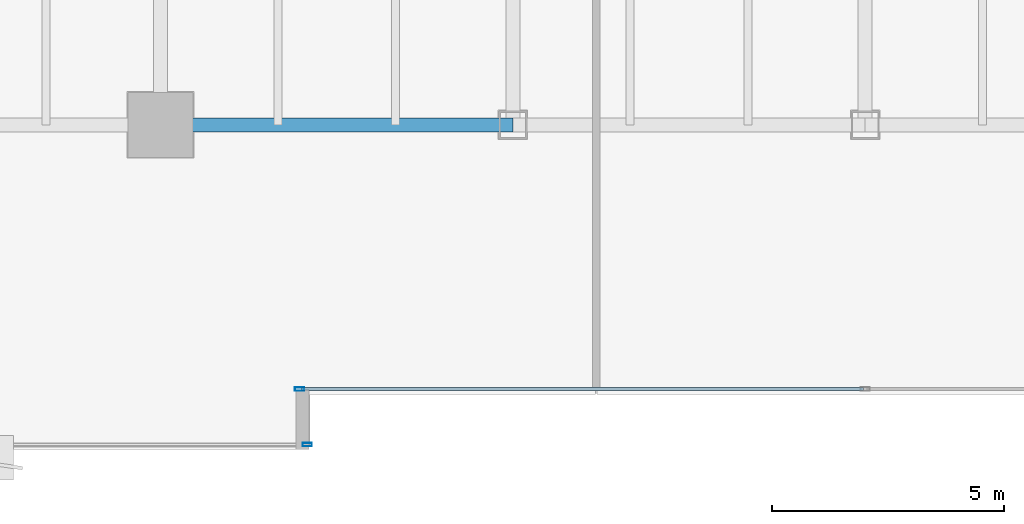
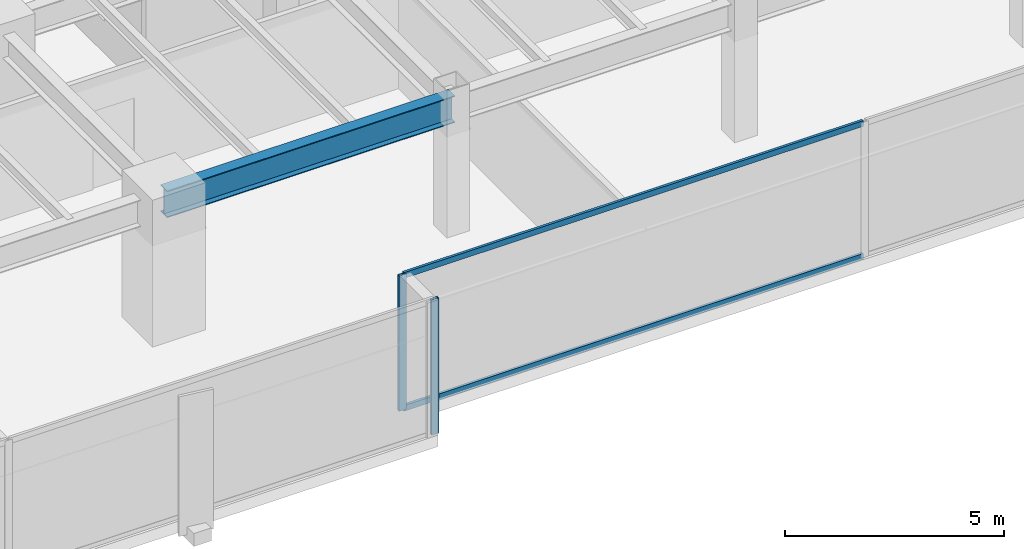
# One storey, part 4 of 37: 4 members, 1 beam, 2 elements without a shape of their own.
"""IFC4 building model written with IfcOpenShell, lengths in metres."""

from ifc_helpers import new_model, si_unit, direction, frame, origin, origin_2d, place, context, subcontext, project, spatial, hollow_rectangle, i_section, extrude, source, transform, mapped, material, layer, layer_set, material_profile, profile_set, type_object, type_shapes, element, aggregate, save


model = new_model("IFC4")

# Units and contexts
model_context = context("Model", 3, precision=1e-05, world=origin(), true_north=direction((0.0, 1.0)))
body_context = subcontext(model_context, "Body", "Model", "MODEL_VIEW")
ifc_project = project(units=[si_unit("LENGTHUNIT", "METRE"), si_unit("AREAUNIT", "SQUARE_METRE"), si_unit("VOLUMEUNIT", "CUBIC_METRE"), si_unit("PLANEANGLEUNIT", "RADIAN"), si_unit("MASSUNIT", "GRAM", prefix="KILO")], contexts=[model_context])

# Site, building, storey
site_placement = place(None, origin())
site = spatial("IfcSite", under=ifc_project, at=site_placement, CompositionType="ELEMENT")
building_placement = place(site_placement, origin())
building = spatial("IfcBuilding", under=site, at=building_placement, Name="Haelvirn Gate Laboratories", CompositionType="ELEMENT")
storey_placement = place(building_placement, frame((0.0, 0.0, 74.39990234375)))
storey = spatial("IfcBuildingStorey", under=building, at=storey_placement, Name="L18", CompositionType="ELEMENT", Elevation=74.39990234375)

# Beam
ifc_material_1 = material(Name="Steel SM355", Category="steel")
ifc_material_profile_1 = material_profile(ifc_material_1, i_section(OverallWidth=0.300048828125, OverallDepth=0.75, WebThickness=0.013916015625, FlangeThickness=0.02392578125, at=origin_2d()), Name="H-750x300x14x24")
ifc_profile_set_1 = profile_set([ifc_material_profile_1], Name="Steel SM355")
beam_type = type_object("IfcBeamType", Name="BM-G-750", PredefinedType="BEAM", material=ifc_profile_set_1)
shared_shape_1 = source(origin(), body_context, "Body", "SweptSolid", [
    extrude(i_section(OverallWidth=0.300048828125, OverallDepth=0.75, WebThickness=0.013916015625, FlangeThickness=0.02392578125, at=origin_2d()), origin(), (0.0, 0.0, 1.0), 7.60009765625),
])
type_shapes(beam_type, [shared_shape_1])
beam_placement = place(storey_placement, frame((22.199951171875, 7.0, 3.405029296875), z_axis=(1.0, 0.0, 0.0), x_axis=(0.0, 1.0, 0.0)))
element("IfcBeam", 1, at=beam_placement, inside=storey, type_object=beam_type, Name="L18 Primary Girder Y7.0 (22.2-29.8)", PredefinedType="BEAM", context=body_context, shape_type="MappedRepresentation", body=[
    mapped(shared_shape_1, transform((0.0, 0.0, 0.0), scale=1.0)),
])

# Curtain wall, member
ifc_material_2 = material(Name="Anodised bronze unitised aluminium & triple low-E glass", Category="aluminium")
ifc_layer = layer(ifc_material_2, 0.18408203125, Name="CW-SYS-2")
ifc_layer_set = layer_set([ifc_layer], Name="Anodised bronze unitised aluminium & triple low-E glass")
curtain_wall_type = type_object("IfcCurtainWallType", Name="CW-SYS-2", PredefinedType="NOTDEFINED", material=ifc_layer_set)
curtain_wall_1_placement = place(storey_placement, origin())
curtain_wall_1 = element("IfcCurtainWall", 2, at=curtain_wall_1_placement, inside=storey, type_object=curtain_wall_type, Name="L18 Unitised Curtain Wall CW-L18-P0-E00-1", PredefinedType="NOTDEFINED")
ifc_material_3 = material(Name="Extruded aluminium 6063-T6 (anodised bronze)", Category="aluminium")
ifc_material_profile_2 = material_profile(ifc_material_3, hollow_rectangle(XDim=0.074951171875, YDim=0.199951171875, WallThickness=0.0048828125, at=origin_2d()), Name="CWM-200x75x5")
ifc_profile_set_2 = profile_set([ifc_material_profile_2], Name="Extruded aluminium 6063-T6 (anodised bronze)")
member_type_1 = type_object("IfcMemberType", Name="CWM-T200", PredefinedType="MULLION", material=ifc_profile_set_2)
shared_shape_2 = source(origin(), body_context, "Body", "SweptSolid", [
    extrude(hollow_rectangle(XDim=0.074951171875, YDim=0.199951171875, WallThickness=0.0048828125, at=origin_2d()), origin(), (0.0, 0.0, 1.0), 3.780029296875),
])
type_shapes(member_type_1, [shared_shape_2])
member_1_placement = place(storey_placement, frame((25.362548828125, 0.10009765625, 0.0), z_axis=(0.0, 0.0, 1.0), x_axis=(0.0, 1.0, 0.0)))
member_1 = element("IfcMember", 3, at=member_1_placement, type_object=member_type_1, Name="CW2 mullion 3", PredefinedType="MULLION", context=body_context, shape_type="MappedRepresentation", body=[
    mapped(shared_shape_2, transform((0.0, 0.0, 0.0), scale=1.0)),
])
aggregate(curtain_wall_1, [member_1])

# Curtain wall, members
curtain_wall_2_placement = place(storey_placement, origin())
curtain_wall_2 = element("IfcCurtainWall", 4, at=curtain_wall_2_placement, inside=storey, type_object=curtain_wall_type, Name="L18 Unitised Curtain Wall CW-L18-P0-E02-1", PredefinedType="NOTDEFINED")
member_2_placement = place(storey_placement, frame((25.197509765625, 1.300048828125, 0.0), z_axis=(0.0, 0.0, 1.0), x_axis=(0.0, 1.0, 0.0)))
member_2 = element("IfcMember", 5, at=member_2_placement, type_object=member_type_1, Name="CW2 mullion 1", PredefinedType="MULLION", context=body_context, shape_type="MappedRepresentation", body=[
    mapped(shared_shape_2, transform((0.0, 0.0, 0.0), scale=1.0)),
])
ifc_material_profile_3 = material_profile(ifc_material_3, hollow_rectangle(XDim=0.070068359375, YDim=0.159912109375, WallThickness=0.0048828125, at=origin_2d()), Name="CWT-160x70x5")
ifc_profile_set_3 = profile_set([ifc_material_profile_3], Name="Extruded aluminium 6063-T6 (anodised bronze)")
member_type_2 = type_object("IfcMemberType", Name="CWT-T160", PredefinedType="USERDEFINED", material=ifc_profile_set_3)
shared_shape_3 = source(origin(), body_context, "Body", "SweptSolid", [
    extrude(hollow_rectangle(XDim=0.070068359375, YDim=0.159912109375, WallThickness=0.0048828125, at=origin_2d()), origin(), (0.0, 0.0, 1.0), 12.12744140625),
])
type_shapes(member_type_2, [shared_shape_3])
member_3_placement = place(storey_placement, frame((25.235107421875, 1.300048828125, 0.03515625), z_axis=(1.0, 0.0, 0.0), x_axis=(0.0, 1.0, 0.0)))
member_3 = element("IfcMember", 6, at=member_3_placement, type_object=member_type_2, Name="CW2 transom 1.1", ObjectType="TRANSOM", PredefinedType="USERDEFINED", context=body_context, shape_type="MappedRepresentation", body=[
    mapped(shared_shape_3, transform((0.0, 0.0, 0.0), scale=1.0)),
])
member_4_placement = place(storey_placement, frame((25.235107421875, 1.300048828125, 3.7451171875), z_axis=(1.0, 0.0, 0.0), x_axis=(0.0, 1.0, 0.0)))
member_4 = element("IfcMember", 7, at=member_4_placement, type_object=member_type_2, Name="CW2 transom 1.2", ObjectType="TRANSOM", PredefinedType="USERDEFINED", context=body_context, shape_type="MappedRepresentation", body=[
    mapped(shared_shape_3, transform((0.0, 0.0, 0.0), scale=1.0)),
])
aggregate(curtain_wall_2, [member_2, member_3, member_4])

save(model, "model.ifc")
